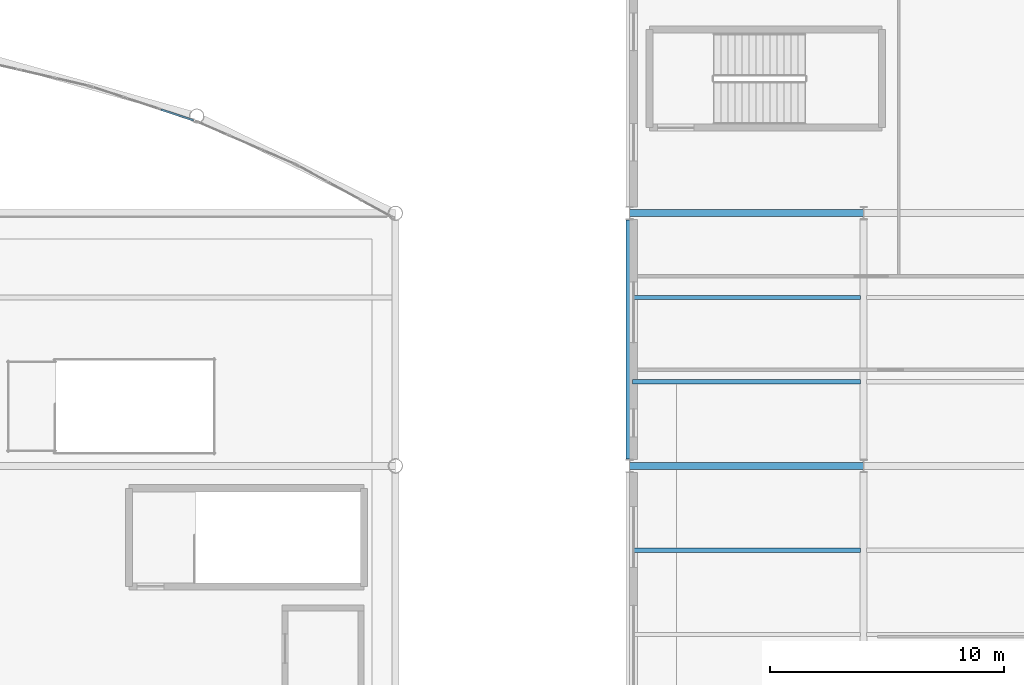
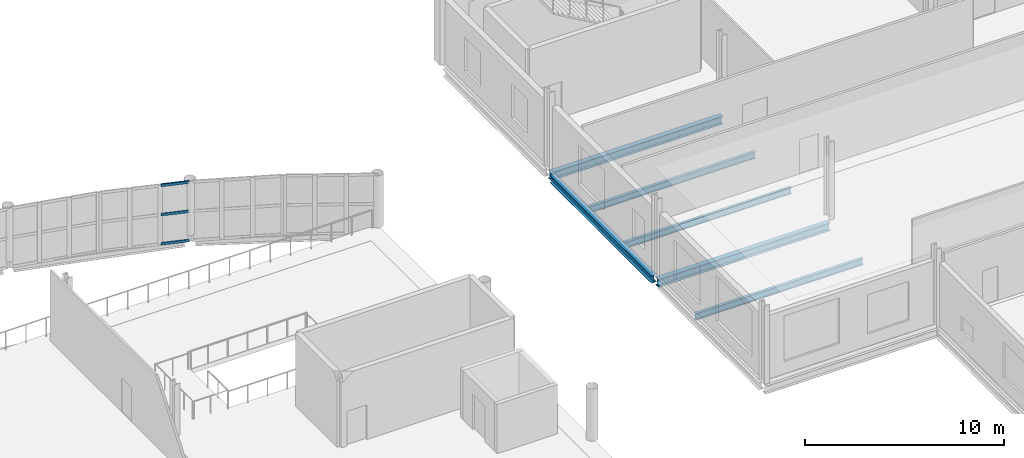
# One storey, part 75 of 134: 6 beams, 3 members, 1 element without a shape of its own.
"""IFC4 building model written with IfcOpenShell, lengths in metres."""

from ifc_helpers import new_model, si_unit, direction, frame, origin, origin_2d, place, context, subcontext, project, spatial, hollow_rectangle, i_section, extrude, material, layer, layer_set, material_profile, profile_set, type_object, element, aggregate, save


model = new_model("IFC4")

# Units and contexts
model_context = context("Model", 3, precision=1e-05, world=origin(), true_north=direction((0.0, 1.0)))
body_context = subcontext(model_context, "Body", "Model", "MODEL_VIEW")
ifc_project = project(units=[si_unit("LENGTHUNIT", "METRE"), si_unit("AREAUNIT", "SQUARE_METRE"), si_unit("VOLUMEUNIT", "CUBIC_METRE"), si_unit("PLANEANGLEUNIT", "RADIAN"), si_unit("MASSUNIT", "GRAM", prefix="KILO")], contexts=[model_context])

# Site, building, storey
site_placement = place(None, origin())
site = spatial("IfcSite", under=ifc_project, at=site_placement, CompositionType="ELEMENT")
building_placement = place(site_placement, origin())
building = spatial("IfcBuilding", under=site, at=building_placement, Name="Tamarisk Ironworks Central Station", CompositionType="ELEMENT")
storey_placement = place(building_placement, frame((0.0, 0.0, 12.60009765625)))
storey = spatial("IfcBuildingStorey", under=building, at=storey_placement, Name="L02", CompositionType="ELEMENT", Elevation=12.60009765625)

# Beams
ifc_material_1 = material(Name="Structural steel S355J2", Category="steel")
ifc_material_profile_1 = material_profile(ifc_material_1, i_section(OverallWidth=0.179931640625, OverallDepth=0.39990234375, WebThickness=0.008544921875, FlangeThickness=0.013427734375, at=origin_2d()), Name="IPE 400")
ifc_profile_set_1 = profile_set([ifc_material_profile_1], Name="Structural steel S355J2")
beam_type_1 = type_object("IfcBeamType", Name="BM-B04", PredefinedType="BEAM", material=ifc_profile_set_1)
for number, where, z_axis, x_axis, name in (
    (1, (118.135009765625, 97.199951171875, -0.4501953125), (1.0, 0.0, 0.0), (0.0, 1.0, 0.0), "L02 secondary composite beam 0158"),
    (2, (118.135009765625, 104.39990234375, -0.4501953125), (1.0, 0.0, 0.0), (0.0, 1.0, 0.0), "L02 secondary composite beam 0159"),
    (3, (118.135009765625, 108.0, -0.4501953125), (1.0, 0.0, 0.0), (0.0, 1.0, 0.0), "L02 secondary composite beam 0160"),
):
    element("IfcBeam", number, at=place(storey_placement, frame(where, z_axis=z_axis, x_axis=x_axis)), inside=storey, type_object=beam_type_1, Name=name, PredefinedType="BEAM", context=body_context, shape_type="SweptSolid", body=[
        extrude(i_section(OverallWidth=0.179931640625, OverallDepth=0.39990234375, WebThickness=0.008544921875, FlangeThickness=0.013427734375, at=origin_2d()), origin(), (0.0, 0.0, 1.0), 9.72998046875),
    ])
ifc_material_profile_2 = material_profile(ifc_material_1, i_section(OverallWidth=0.300048828125, OverallDepth=0.489990234375, WebThickness=0.011962890625, FlangeThickness=0.02294921875, at=origin_2d()), Name="HEA 500")
ifc_profile_set_2 = profile_set([ifc_material_profile_2], Name="Structural steel S355J2")
beam_type_2 = type_object("IfcBeamType", Name="BM-G05", PredefinedType="BEAM", material=ifc_profile_set_2)
for number, where, z_axis, x_axis, name in (
    (4, (118.00390625, 100.800048828125, -0.4951171875), (1.0, 0.0, 0.0), (0.0, 1.0, 0.0), "L02 primary girder X-0388"),
    (5, (118.00390625, 111.60009765625, -0.4951171875), (1.0, 0.0, 0.0), (0.0, 1.0, 0.0), "L02 primary girder X-0401"),
):
    element("IfcBeam", number, at=place(storey_placement, frame(where, z_axis=z_axis, x_axis=x_axis)), inside=storey, type_object=beam_type_2, Name=name, PredefinedType="BEAM", context=body_context, shape_type="SweptSolid", body=[
        extrude(i_section(OverallWidth=0.300048828125, OverallDepth=0.489990234375, WebThickness=0.011962890625, FlangeThickness=0.02294921875, at=origin_2d()), origin(), (0.0, 0.0, 1.0), 9.9921875),
    ])
ifc_material_profile_3 = material_profile(ifc_material_1, i_section(OverallWidth=0.300048828125, OverallDepth=0.43994140625, WebThickness=0.011474609375, FlangeThickness=0.02099609375, at=origin_2d()), Name="HEA 450")
ifc_profile_set_3 = profile_set([ifc_material_profile_3], Name="Structural steel S355J2")
beam_type_3 = type_object("IfcBeamType", Name="BM-G06", PredefinedType="BEAM", material=ifc_profile_set_3)
beam_placement = place(storey_placement, frame((118.0, 101.087890625, -0.47021484375), z_axis=(0.0, 1.0, 0.0), x_axis=(-1.0, 0.0, 0.0)))
element("IfcBeam", 6, at=beam_placement, inside=storey, type_object=beam_type_3, Name="L02 primary girder Y-0493", PredefinedType="BEAM", context=body_context, shape_type="SweptSolid", body=[
    extrude(i_section(OverallWidth=0.300048828125, OverallDepth=0.43994140625, WebThickness=0.011474609375, FlangeThickness=0.02099609375, at=origin_2d()), origin(), (0.0, 0.0, 1.0), 10.22412109375),
])

# Curtain wall, members
ifc_material_2 = material(Name="Anodized aluminium alloy 6063-T6", Category="aluminium")
ifc_layer = layer(ifc_material_2, 0.179931640625)
ifc_layer_set = layer_set([ifc_layer], Name="Anodized aluminium alloy 6063-T6")
curtain_wall_type = type_object("IfcCurtainWallType", Name="CW-03", PredefinedType="USERDEFINED", material=ifc_layer_set)
curtain_wall_placement = place(storey_placement, origin())
curtain_wall = element("IfcCurtainWall", 7, at=curtain_wall_placement, inside=storey, type_object=curtain_wall_type, Name="NN rounded entrance hall L02 curtain wall bay 10", ObjectType="GLAZED CURTAIN WALL", PredefinedType="USERDEFINED")
ifc_material_profile_4 = material_profile(ifc_material_2, hollow_rectangle(XDim=0.074951171875, YDim=0.159912109375, WallThickness=0.00390625, at=origin_2d()), Name="ALUM 160x75")
ifc_profile_set_4 = profile_set([ifc_material_profile_4], Name="Anodized aluminium alloy 6063-T6")
member_type = type_object("IfcMemberType", Name="CWT-01", PredefinedType="USERDEFINED", material=ifc_profile_set_4)
member_1_placement = place(storey_placement, frame((97.97265625, 116.028564453125, -0.34765625), z_axis=(0.949678219118, -0.313227202095, 0.0), x_axis=(0.313227202095, 0.949678219118, 0.0)))
member_1 = element("IfcMember", 8, at=member_1_placement, type_object=member_type, Name="CW03 transom 3.1", ObjectType="TRANSOM", PredefinedType="USERDEFINED", context=body_context, shape_type="SweptSolid", body=[
    extrude(hollow_rectangle(XDim=0.074951171875, YDim=0.159912109375, WallThickness=0.00390625, at=origin_2d()), origin(), (0.0, 0.0, 1.0), 1.46533203125),
])
member_2_placement = place(storey_placement, frame((97.97265625, 116.028564453125, 1.447509765625), z_axis=(0.949678219118, -0.313227202095, 0.0), x_axis=(0.313227202095, 0.949678219118, 0.0)))
member_2 = element("IfcMember", 9, at=member_2_placement, type_object=member_type, Name="CW03 transom 3.2", ObjectType="TRANSOM", PredefinedType="USERDEFINED", context=body_context, shape_type="SweptSolid", body=[
    extrude(hollow_rectangle(XDim=0.074951171875, YDim=0.159912109375, WallThickness=0.00390625, at=origin_2d()), origin(), (0.0, 0.0, 1.0), 1.46533203125),
])
member_3_placement = place(storey_placement, frame((97.97265625, 116.028564453125, 3.242431640625), z_axis=(0.949678219118, -0.313227202095, 0.0), x_axis=(0.313227202095, 0.949678219118, 0.0)))
member_3 = element("IfcMember", 10, at=member_3_placement, type_object=member_type, Name="CW03 transom 3.3", ObjectType="TRANSOM", PredefinedType="USERDEFINED", context=body_context, shape_type="SweptSolid", body=[
    extrude(hollow_rectangle(XDim=0.074951171875, YDim=0.159912109375, WallThickness=0.00390625, at=origin_2d()), origin(), (0.0, 0.0, 1.0), 1.46533203125),
])
aggregate(curtain_wall, [member_1, member_2, member_3])

save(model, "model.ifc")
